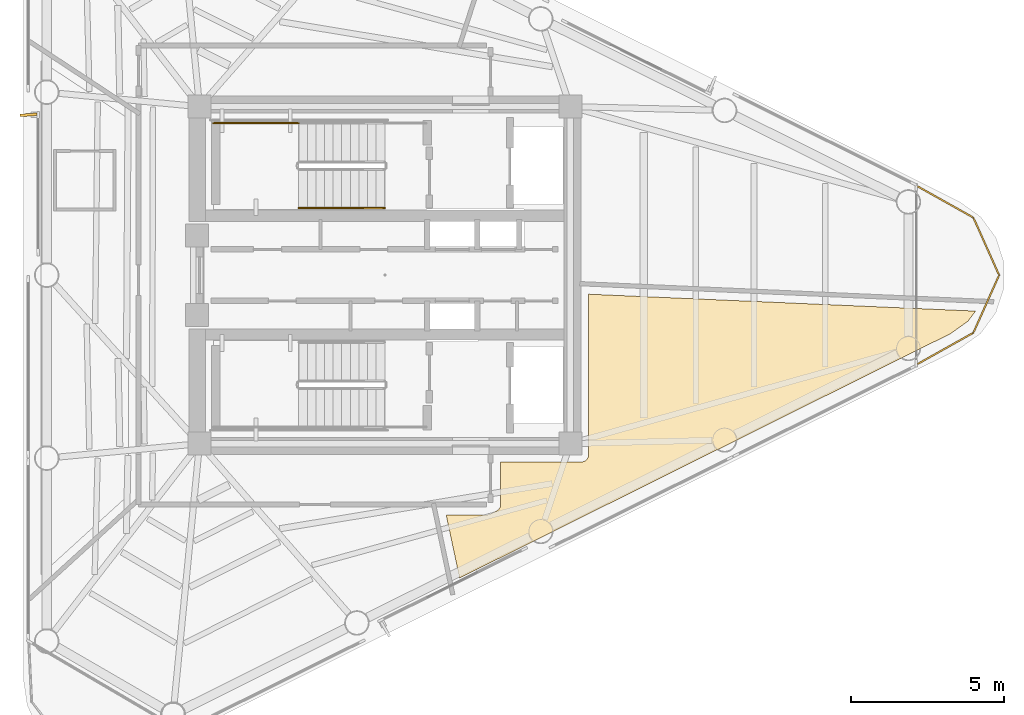
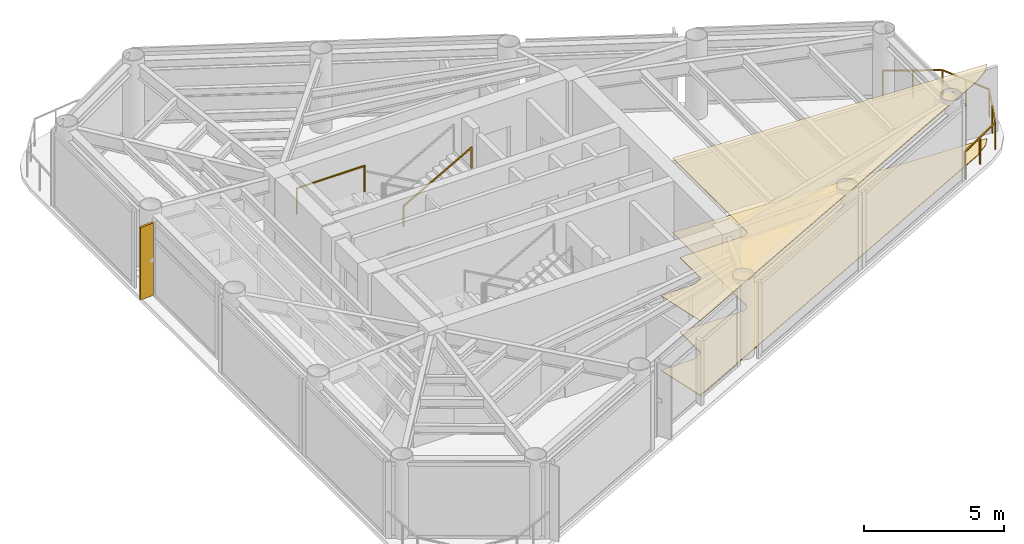
# One storey, part 9 of 10: 3 railings, 2 coverings, 1 shading device.
"""IFC4 building model written with IfcOpenShell, lengths in metres."""

from ifc_helpers import new_model, si_unit, direction, frame, origin, origin_2d, place, context, subcontext, project, spatial, polyline, rectangle, outline, extrude, source, transform, mapped, material, layer, layer_set, material_profile, profile_set, type_object, element, save


model = new_model("IFC4")

# Units and contexts
model_context = context("Model", 3, precision=1e-05, world=origin(), true_north=direction((0.0, 1.0)))
body_context = subcontext(model_context, "Body", "Model", "MODEL_VIEW")
ifc_project = project(units=[si_unit("LENGTHUNIT", "METRE"), si_unit("AREAUNIT", "SQUARE_METRE"), si_unit("VOLUMEUNIT", "CUBIC_METRE"), si_unit("PLANEANGLEUNIT", "RADIAN"), si_unit("MASSUNIT", "GRAM", prefix="KILO")], contexts=[model_context])

# Site, building, storey
site_placement = place(None, origin())
site = spatial("IfcSite", under=ifc_project, at=site_placement, CompositionType="ELEMENT")
building_placement = place(site_placement, origin())
building = spatial("IfcBuilding", under=site, at=building_placement, Name="Yunling Apex Tower", CompositionType="ELEMENT")
storey_placement = place(building_placement, frame((0.0, 0.0, 289.85009765625)))
storey = spatial("IfcBuildingStorey", under=building, at=storey_placement, Name="L70", CompositionType="ELEMENT", Elevation=289.85009765625)

# Coverings
ifc_material_1 = material(Name="Acoustic mineral fibre ceiling")
ifc_layer_1 = layer(ifc_material_1, 0.02490234375)
ifc_layer_set_1 = layer_set([ifc_layer_1], Name="Acoustic mineral fibre ceiling")
covering_type_1 = type_object("IfcCoveringType", Name="CV-CLG-1", PredefinedType="CEILING", material=ifc_layer_set_1)
covering_1_placement = place(storey_placement, frame((0.0, 0.0, 3.244873046875)))
element("IfcCovering", 1, at=covering_1_placement, inside=storey, type_object=covering_type_1, Name="CV-CL-SP-L70-AMN3", PredefinedType="CEILING", context=body_context, shape_type="SweptSolid", body=[
    extrude(outline(polyline([(19.275634765625, -1.171875), (19.036865234375, -1.496826171875), (18.459716796875, -1.9091796875), (2.43798828125, -9.88330078125), (1.99951171875, -7.820068359375), (3.341796875, -7.820068359375), (3.360595703125, -7.8193359375), (3.38330078125, -7.81591796875), (3.406005859375, -7.810791015625), (3.427490234375, -7.803466796875), (3.443115234375, -7.796875), (3.6474609375, -7.695068359375), (3.6630859375, -7.686279296875), (3.68310546875, -7.672607421875), (3.704833984375, -7.653564453125), (3.720703125, -7.63623046875), (3.7353515625, -7.617919921875), (3.74951171875, -7.594482421875), (3.760986328125, -7.571044921875), (3.768798828125, -7.548828125), (3.775390625, -7.523681640625), (3.77880859375, -7.49951171875), (3.780029296875, -7.4814453125), (3.780029296875, -6.10009765625), (6.40380859375, -6.10009765625), (6.4248046875, -6.099365234375), (6.45068359375, -6.094970703125), (6.472412109375, -6.089599609375), (6.494873046875, -6.08154296875), (6.518310546875, -6.07080078125), (6.5400390625, -6.057373046875), (6.55859375, -6.04345703125), (6.576904296875, -6.02685546875), (6.593505859375, -6.0087890625), (6.607421875, -5.989990234375), (6.62060546875, -5.96826171875), (6.631591796875, -5.94482421875), (6.639404296875, -5.922607421875), (6.64501953125, -5.900634765625), (6.6494140625, -5.875), (6.64990234375, -5.853759765625), (6.64990234375, -0.62060546875), (19.275634765625, -1.171875)])), origin(), (0.0, 0.0, 1.0), 0.025146484375),
])
ifc_material_2 = material(Name="Polished granite stone", Category="masonry")
ifc_layer_2 = layer(ifc_material_2, 0.030029296875)
ifc_layer_set_2 = layer_set([ifc_layer_2], Name="Polished granite stone")
covering_type_2 = type_object("IfcCoveringType", Name="CV-FLR-1", PredefinedType="FLOORING", material=ifc_layer_set_2)
covering_2_placement = place(storey_placement, origin())
element("IfcCovering", 2, at=covering_2_placement, inside=storey, type_object=covering_type_2, Name="CV-FL-SP-L70-AMN3", PredefinedType="FLOORING", context=body_context, shape_type="SweptSolid", body=[
    extrude(outline(polyline([(19.275634765625, -1.171875), (19.036865234375, -1.496826171875), (18.459716796875, -1.9091796875), (2.43798828125, -9.88330078125), (1.99951171875, -7.820068359375), (3.341796875, -7.820068359375), (3.360595703125, -7.8193359375), (3.38330078125, -7.81591796875), (3.406005859375, -7.810791015625), (3.427490234375, -7.803466796875), (3.443115234375, -7.796875), (3.6474609375, -7.695068359375), (3.6630859375, -7.686279296875), (3.68310546875, -7.672607421875), (3.704833984375, -7.653564453125), (3.720703125, -7.63623046875), (3.7353515625, -7.617919921875), (3.74951171875, -7.594482421875), (3.760986328125, -7.571044921875), (3.768798828125, -7.548828125), (3.775390625, -7.523681640625), (3.77880859375, -7.49951171875), (3.780029296875, -7.4814453125), (3.780029296875, -6.10009765625), (6.40380859375, -6.10009765625), (6.4248046875, -6.099365234375), (6.45068359375, -6.094970703125), (6.472412109375, -6.089599609375), (6.494873046875, -6.08154296875), (6.518310546875, -6.07080078125), (6.5400390625, -6.057373046875), (6.55859375, -6.04345703125), (6.576904296875, -6.02685546875), (6.593505859375, -6.0087890625), (6.607421875, -5.989990234375), (6.62060546875, -5.96826171875), (6.631591796875, -5.94482421875), (6.639404296875, -5.922607421875), (6.64501953125, -5.900634765625), (6.6494140625, -5.875), (6.64990234375, -5.853759765625), (6.64990234375, -0.62060546875), (19.275634765625, -1.171875)])), origin(), (0.0, 0.0, 1.0), 0.02978515625),
])

# Railings
ifc_material_3 = material(Name="Bronze anodised aluminium", Category="aluminium")
railing_type_1 = type_object("IfcRailingType", Name="RL-BAL-1200", PredefinedType="BALUSTRADE", material=ifc_material_3)
railing_1_placement = place(storey_placement, frame((17.349365234375, 2.919677734375, 0.0)))
element("IfcRailing", 3, at=railing_1_placement, inside=storey, type_object=railing_type_1, Name="RL-CRNSILL-L70-1", PredefinedType="BALUSTRADE", context=body_context, shape_type="SweptSolid", body=[
    extrude(rectangle(XDim=0.0439453125, YDim=0.0439453125, at=origin_2d()), origin(), (0.0, 0.0, 1.0), 1.199951171875),
    extrude(rectangle(XDim=0.0439453125, YDim=0.0439453125, at=origin_2d()), frame((1.85791015625, -1.040771484375, 0.0)), (0.0, 0.0, 1.0), 1.199951171875),
    extrude(rectangle(XDim=0.050048828125, YDim=0.050048828125, at=origin_2d()), frame((0.033447265625, -0.018798828125, 1.1748046875), z_axis=(0.872437584312, -0.488725548216, 0.0), x_axis=(0.488725548216, 0.872437584312, 0.0)), (0.0, 0.0, 1.0), 2.052978515625),
    extrude(rectangle(XDim=0.0439453125, YDim=0.0439453125, at=origin_2d()), frame((0.928955078125, -0.5205078125, 0.0)), (0.0, 0.0, 1.0), 1.14599609375),
    extrude(rectangle(XDim=0.0439453125, YDim=0.0439453125, at=origin_2d()), frame((2.697021484375, -2.919677734375, 0.0)), (0.0, 0.0, 1.0), 1.199951171875),
    extrude(rectangle(XDim=0.050048828125, YDim=0.050048828125, at=origin_2d()), frame((1.87353515625, -1.07568359375, 1.1748046875), z_axis=(0.407778028912, -0.913081091216, 0.0), x_axis=(0.913081091216, 0.407778028912, 0.0)), (0.0, 0.0, 1.0), 1.981201171875),
    extrude(rectangle(XDim=0.0439453125, YDim=0.0439453125, at=origin_2d()), frame((2.27734375, -1.980224609375, 0.0)), (0.0, 0.0, 1.0), 1.14599609375),
    extrude(rectangle(XDim=0.0439453125, YDim=0.0439453125, at=origin_2d()), frame((1.85791015625, -4.798583984375, 0.0)), (0.0, 0.0, 1.0), 1.199951171875),
    extrude(rectangle(XDim=0.050048828125, YDim=0.050048828125, at=origin_2d()), frame((2.681396484375, -2.95458984375, 1.1748046875), z_axis=(-0.407778028912, -0.913081091216, 0.0), x_axis=(0.913081091216, -0.407778028912, 0.0)), (0.0, 0.0, 1.0), 1.981201171875),
    extrude(rectangle(XDim=0.0439453125, YDim=0.0439453125, at=origin_2d()), frame((2.27734375, -3.859130859375, 0.0)), (0.0, 0.0, 1.0), 1.14599609375),
    extrude(rectangle(XDim=0.0439453125, YDim=0.0439453125, at=origin_2d()), frame((0.0, -5.83935546875, 0.0)), (0.0, 0.0, 1.0), 1.199951171875),
    extrude(rectangle(XDim=0.050048828125, YDim=0.050048828125, at=origin_2d()), frame((1.824462890625, -4.8173828125, 1.1748046875), z_axis=(-0.872437584312, -0.488725548216, 0.0), x_axis=(0.488725548216, -0.872437584312, 0.0)), (0.0, 0.0, 1.0), 2.052978515625),
    extrude(rectangle(XDim=0.0439453125, YDim=0.0439453125, at=origin_2d()), frame((0.928955078125, -5.31884765625, 0.0)), (0.0, 0.0, 1.0), 1.14599609375),
])
ifc_material_4 = material(Name="Steel Q355B", Category="steel")
railing_type_2 = type_object("IfcRailingType", Name="RL-GRD-1150", PredefinedType="GUARDRAIL", material=ifc_material_4)
railing_2_placement = place(storey_placement, frame((-2.81005859375, 4.9599609375, 1.724853515625)))
element("IfcRailing", 4, at=railing_2_placement, inside=storey, type_object=railing_type_2, Name="L70 ST-1 stair guard 3", PredefinedType="GUARDRAIL", context=body_context, shape_type="SweptSolid", body=[
    extrude(rectangle(XDim=0.0439453125, YDim=0.0439453125, at=origin_2d()), origin(), (0.0, 0.0, 1.0), 1.14990234375),
    extrude(rectangle(XDim=0.0439453125, YDim=0.0439453125, at=origin_2d()), frame((-2.7900390625, 0.0, 0.0)), (0.0, 0.0, 1.0), 1.14990234375),
    extrude(rectangle(XDim=0.050048828125, YDim=0.050048828125, at=origin_2d()), frame((-0.038330078125, 0.0, 1.125), z_axis=(-1.0, 0.0, 0.0), x_axis=(0.0, -1.0, 0.0)), (0.0, 0.0, 1.0), 2.71337890625),
])
ifc_material_5 = material(Name="Silver anodised aluminium", Category="aluminium")
railing_type_3 = type_object("IfcRailingType", Name="RL-HND-900", PredefinedType="HANDRAIL", material=ifc_material_5)
railing_3_placement = place(storey_placement, frame((-2.81005859375, 2.18994140625, 1.8818359375)))
element("IfcRailing", 5, at=railing_3_placement, inside=storey, type_object=railing_type_3, Name="L70 ST-1 stair handrail 2", PredefinedType="HANDRAIL", context=body_context, shape_type="SweptSolid", body=[
    extrude(rectangle(XDim=0.0439453125, YDim=0.0439453125, at=origin_2d()), origin(), (0.0, 0.0, 1.0), 0.919921875),
    extrude(rectangle(XDim=0.0439453125, YDim=0.0439453125, at=origin_2d()), frame((2.800048828125, 0.0, 1.568115234375)), (0.0, 0.0, 1.0), 0.919921875),
    extrude(rectangle(XDim=0.050048828125, YDim=0.050048828125, at=origin_2d()), frame((0.033447265625, 0.0, 0.91357421875), z_axis=(0.872494340497, 0.0, 0.48862421737), x_axis=(0.0, 1.0, 0.0)), (0.0, 0.0, 1.0), 3.132568359375),
])

# Shading device
ifc_material_profile = material_profile(ifc_material_3, rectangle(XDim=0.0849609375, YDim=0.550048828125, at=origin_2d()))
ifc_profile_set = profile_set([ifc_material_profile], Name="Bronze anodised aluminium")
shading_device_type = type_object("IfcShadingDeviceType", Name="FN-BRZ-3", PredefinedType="USERDEFINED", material=ifc_profile_set)
shared_shape = source(origin(), body_context, "Body", "SweptSolid", [
    extrude(rectangle(XDim=0.0849609375, YDim=0.550048828125, at=origin_2d()), origin(), (0.0, 0.0, 1.0), 3.14990234375),
])
shading_device_placement = place(storey_placement, frame((-11.63232421875, 5.232666015625, 0.06005859375), z_axis=(0.0, 0.0, 1.0), x_axis=(0.06540312923, -0.997858923239, 0.0)))
element("IfcShadingDevice", 6, at=shading_device_placement, inside=storey, type_object=shading_device_type, Name="CW-L70-F3-B2-FIN-01", ObjectType="FIN", PredefinedType="USERDEFINED", context=body_context, shape_type="MappedRepresentation", body=[
    mapped(shared_shape, transform((0.0, 0.0, 0.0), scale=1.0)),
])

save(model, "model.ifc")
